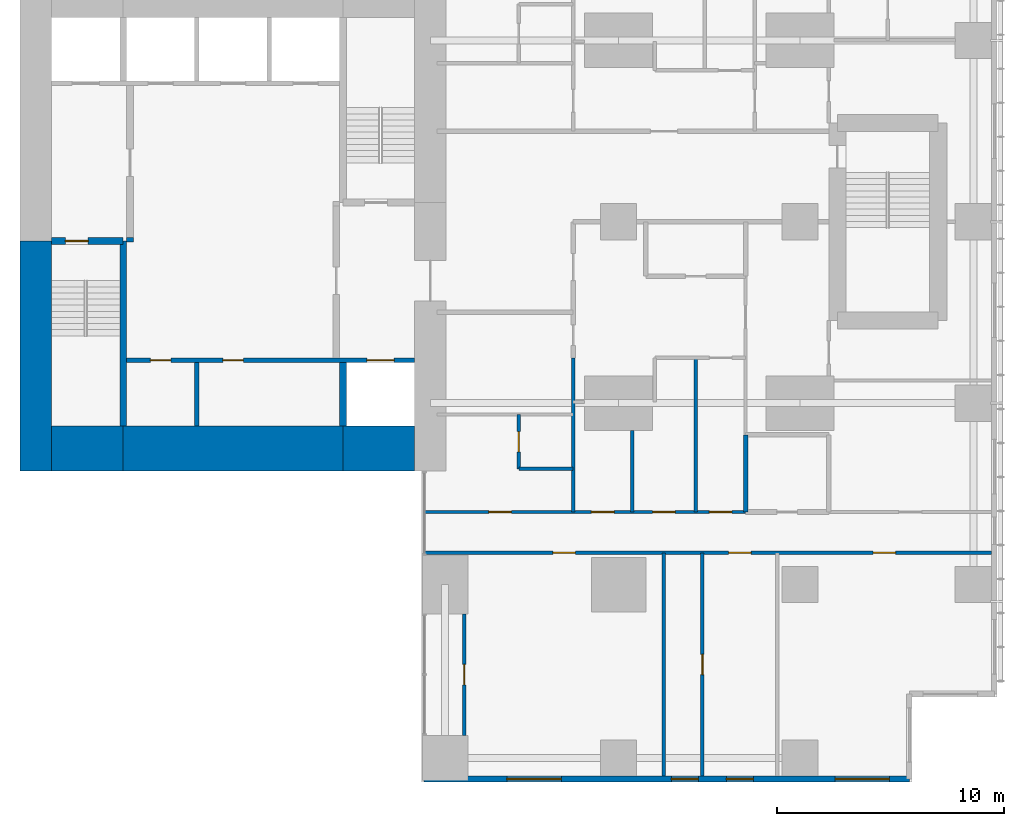
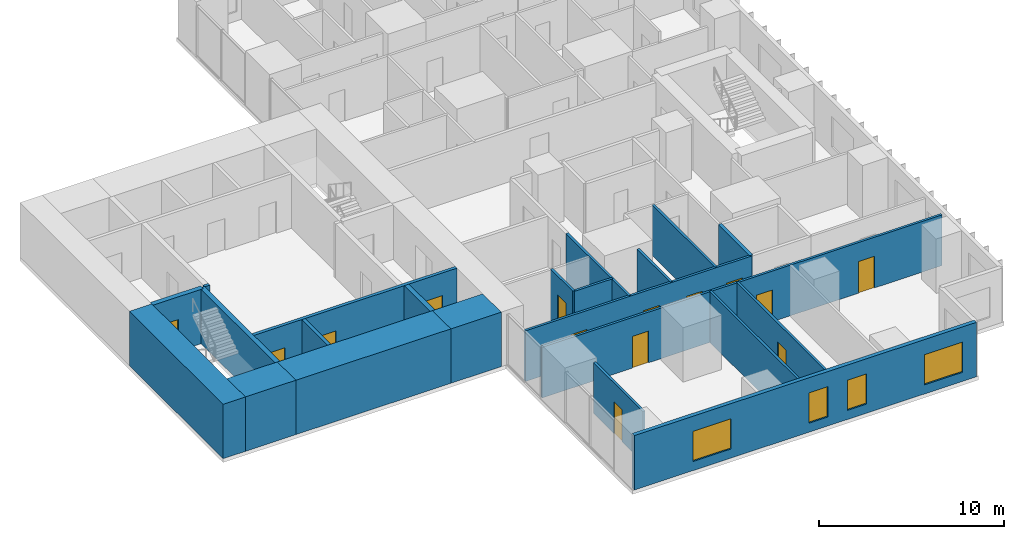
# One storey, part 7 of 12: 22 walls, 14 doors, 4 windows, 18 openings.
"""IFC4 building model written with IfcOpenShell, lengths in metres."""

import ifcopenshell
import ifcopenshell.guid

model = None  # the IFC model being written
_history = None  # IfcOwnerHistory: only IFC2X3 demands one
_inside = {}  # id of a spatial element -> (the spatial element, [elements in it])
_under = {}  # id of a project, library or spatial element -> (it, [spatial elements below it])
_declared = {}  # id of a project -> (the project, [libraries it declares])
_typed = {}  # id of a type object -> (the type object, [elements of that type])
_made_of = {}  # id of a material, layer set ... -> (it, [elements and type objects made of it])


def new_model(schema):
    """Start an empty IFC model of exactly this schema.

    Asked for "IFC4X3", IfcOpenShell would pick the latest addendum, in which some entities
    have other attributes; the version numbers below select the first issue.
    IFC2X3 requires an IfcOwnerHistory on every rooted entity: one is made here for all.
    """
    global model, _history
    if schema == "IFC4X3":
        model = ifcopenshell.file(schema_version=(4, 3, 0, 0))
    else:
        model = ifcopenshell.file(schema=schema)
    _inside.clear()
    _under.clear()
    _declared.clear()
    _typed.clear()
    _made_of.clear()
    _history = None
    if model.schema == "IFC2X3":
        org = make("IfcOrganization", Name="unknown")
        user = make(
            "IfcPersonAndOrganization",
            ThePerson=make("IfcPerson", FamilyName="unknown"),
            TheOrganization=org,
        )
        app = make(
            "IfcApplication",
            ApplicationDeveloper=org,
            Version="unknown",
            ApplicationFullName="unknown",
            ApplicationIdentifier="unknown",
        )
        _history = make(
            "IfcOwnerHistory",
            OwningUser=user,
            OwningApplication=app,
            ChangeAction="ADDED",
            CreationDate=0,
        )
    return model


def make(cls, **values):
    """One entity of the class cls with the attributes given. An attribute that is None is left unset."""
    return model.create_entity(
        cls, **{name: value for name, value in values.items() if value is not None}
    )


def rooted(cls, **values):
    """An entity with a GlobalId (a new one), such as an element, a storey or a relation."""
    return make(cls, GlobalId=ifcopenshell.guid.new(), OwnerHistory=_history, **values)


def si_unit(unit_type, name, prefix=None):
    """IfcSIUnit, for example si_unit("LENGTHUNIT", "METRE", prefix="MILLI")."""
    return make("IfcSIUnit", UnitType=unit_type, Prefix=prefix, Name=name)


def assignment(units):
    """IfcUnitAssignment: the units of a project."""
    return None if units is None else make("IfcUnitAssignment", Units=units)


def point(xyz):
    """IfcCartesianPoint."""
    return None if xyz is None else make("IfcCartesianPoint", Coordinates=xyz)


def direction(xyz):
    """IfcDirection."""
    return None if xyz is None else make("IfcDirection", DirectionRatios=xyz)


def frame(location, z_axis=None, x_axis=None):
    """IfcAxis2Placement3D, a coordinate frame: its origin and axes. An axis left out is left unset."""
    return make(
        "IfcAxis2Placement3D",
        Location=point(location),
        Axis=direction(z_axis),
        RefDirection=direction(x_axis),
    )


def frame_2d(location, x_axis=None):
    """IfcAxis2Placement2D, a coordinate frame in the plane: its origin and x axis."""
    return make(
        "IfcAxis2Placement2D", Location=point(location), RefDirection=direction(x_axis)
    )


def origin():
    """The frame at (0, 0, 0) with its axes left unset."""
    return frame((0.0, 0.0, 0.0))


def place(relative_to, where):
    """IfcLocalPlacement: puts the frame where relative to a parent placement (None: the world)."""
    return make(
        "IfcLocalPlacement", PlacementRelTo=relative_to, RelativePlacement=where
    )


def context(
    kind, dimensions, precision=None, world=None, true_north=None, identifier=None
):
    """IfcGeometricRepresentationContext, for example the 3D "Model" context."""
    return make(
        "IfcGeometricRepresentationContext",
        ContextIdentifier=identifier,
        ContextType=kind,
        CoordinateSpaceDimension=dimensions,
        Precision=precision,
        WorldCoordinateSystem=world,
        TrueNorth=true_north,
    )


def subcontext(parent, identifier, kind, view, scale=None):
    """IfcGeometricRepresentationSubContext, for example "Body" below "Model"."""
    return make(
        "IfcGeometricRepresentationSubContext",
        ContextIdentifier=identifier,
        ContextType=kind,
        ParentContext=parent,
        TargetScale=scale,
        TargetView=view,
    )


def project(units=None, contexts=None):
    """IfcProject with its units and contexts."""
    return rooted(
        "IfcProject",
        Name="project",
        RepresentationContexts=contexts,
        UnitsInContext=assignment(units),
    )


def spatial(cls, under=None, at=None, **own):
    """A site, building, storey or space (cls), placed at a placement, below another one or the project."""
    s = rooted(cls, ObjectPlacement=at, **own)
    if under is not None:
        _under.setdefault(under.id(), (under, []))[1].append(s)
    return s


def profile(cls, at=None, kind="AREA", **sizes):
    """A parametric profile (cls). Its sizes go by their IFC names, for example OverallWidth=200.0."""
    return make(cls, ProfileType=kind, Position=at, **sizes)


def rectangle(**sizes):
    """IfcRectangleProfileDef."""
    return profile("IfcRectangleProfileDef", **sizes)


def extrude(swept, where, along, depth):
    """IfcExtrudedAreaSolid: the profile swept, set in the frame where, extruded along a direction by depth."""
    return make(
        "IfcExtrudedAreaSolid",
        SweptArea=swept,
        Position=where,
        ExtrudedDirection=direction(along),
        Depth=depth,
    )


def shape(context_of_items, identifier, shape_type, items):
    """IfcShapeRepresentation: the items that make up one representation, for example the "Body"."""
    return make(
        "IfcShapeRepresentation",
        ContextOfItems=context_of_items,
        RepresentationIdentifier=identifier,
        RepresentationType=shape_type,
        Items=items,
    )


def material(Name=None, Category=None):
    """IfcMaterial."""
    return make("IfcMaterial", Name=Name, Category=Category)


def layer(
    of_material, thickness, ventilated=None, Name=None, Category=None, Priority=None
):
    """IfcMaterialLayer: one layer of a wall or slab, of a material (None: an air gap)."""
    return make(
        "IfcMaterialLayer",
        Material=of_material,
        LayerThickness=thickness,
        IsVentilated=ventilated,
        Name=Name,
        Category=Category,
        Priority=Priority,
    )


def layer_set(layers, Name=None):
    """IfcMaterialLayerSet."""
    return make("IfcMaterialLayerSet", MaterialLayers=layers, LayerSetName=Name)


def made_of(thing, what):
    """Note that an element or type object is made of a material, layer set ...; save() writes the relation."""
    if what is not None:
        _made_of.setdefault(what.id(), (what, []))[1].append(thing)
    return thing


def type_object(cls, material=None, **own):
    """A type object (cls), such as IfcWallType, which elements share."""
    return made_of(rooted(cls, **own), material)


def element(
    cls,
    number,
    at=None,
    inside=None,
    cuts=None,
    type_object=None,
    material=None,
    context=None,
    identifier="Body",
    shape_type=None,
    held_by="IfcProductDefinitionShape",
    body=None,
    shapes=None,
    **own,
):
    """One element of the class cls, such as IfcWall. Its Tag is "e" and its number.

    at: its placement. inside: the storey or other place that contains it. cuts: it is an
    opening in that element (IfcRelVoidsElement). A single representation is given by context,
    identifier, shape_type and body (its items); several are given by shapes. held_by: the class
    of the entity that holds the representations. save() writes the other relations.
    """
    e = rooted(cls, Tag="e%d" % number, ObjectPlacement=at, **own)
    if body is not None:
        shapes = [shape(context, identifier, shape_type, body)]
    if shapes is not None:
        e.Representation = make(held_by, Representations=shapes)
    if inside is not None:
        _inside.setdefault(inside.id(), (inside, []))[1].append(e)
    if cuts is not None:
        rooted(
            "IfcRelVoidsElement", RelatingBuildingElement=cuts, RelatedOpeningElement=e
        )
    if type_object is not None:
        _typed.setdefault(type_object.id(), (type_object, []))[1].append(e)
    return made_of(e, material)


def fill(opening, filler):
    """IfcRelFillsElement: the door or window that sits in an opening."""
    return rooted(
        "IfcRelFillsElement",
        RelatingOpeningElement=opening,
        RelatedBuildingElement=filler,
    )


def aggregate(whole, parts):
    """IfcRelAggregates: a whole, such as a stair, and the parts it consists of."""
    return rooted("IfcRelAggregates", RelatingObject=whole, RelatedObjects=parts)


def save(model, path):
    """Write the relations noted so far, then the file.

    IfcRelAggregates (storeys below a building ...), IfcRelContainedInSpatialStructure (elements
    in a storey), IfcRelDefinesByType, IfcRelAssociatesMaterial and IfcRelDeclares: one each for
    every whole, place, type object, material and project.
    """
    for whole, parts in _under.values():
        aggregate(whole, parts)
    for where, things in _inside.values():
        rooted(
            "IfcRelContainedInSpatialStructure",
            RelatedElements=things,
            RelatingStructure=where,
        )
    for kind, things in _typed.values():
        rooted("IfcRelDefinesByType", RelatedObjects=things, RelatingType=kind)
    for what, things in _made_of.values():
        rooted("IfcRelAssociatesMaterial", RelatedObjects=things, RelatingMaterial=what)
    for by, libraries in _declared.values():
        rooted("IfcRelDeclares", RelatingContext=by, RelatedDefinitions=libraries)
    model.write(path)


model = new_model("IFC4")

# Units and contexts
model_context = context("Model", 3, precision=1e-05, world=origin(), true_north=direction((0.0, 1.0)))
body_context = subcontext(model_context, "Body", "Model", "MODEL_VIEW")
ifc_project = project(units=[si_unit("LENGTHUNIT", "METRE"), si_unit("AREAUNIT", "SQUARE_METRE"), si_unit("VOLUMEUNIT", "CUBIC_METRE"), si_unit("PLANEANGLEUNIT", "RADIAN"), si_unit("MASSUNIT", "GRAM", prefix="KILO")], contexts=[model_context])

# Site, building, storey
site_placement = place(None, origin())
site = spatial("IfcSite", under=ifc_project, at=site_placement, CompositionType="ELEMENT")
building_placement = place(site_placement, origin())
building = spatial("IfcBuilding", under=site, at=building_placement, Name="Cleftline Residences", CompositionType="ELEMENT")
storey_placement = place(building_placement, frame((0.0, 0.0, 259.199951171875)))
storey = spatial("IfcBuildingStorey", under=building, at=storey_placement, Name="L68", CompositionType="ELEMENT", Elevation=259.199951171875)

# Walls
ifc_material_1 = material(Name="Concrete B70", Category="concrete")
ifc_layer_1 = layer(ifc_material_1, 1.39990234375)
ifc_layer_set_1 = layer_set([ifc_layer_1], Name="CORE WALL 1400")
wall_type_1 = type_object("IfcWallType", Name="CORE WALL 1400", PredefinedType="SHEAR", material=ifc_layer_set_1)
wall_1_placement = place(storey_placement, frame((24.300048828125, 13.0, 0.0), z_axis=(0.0, 0.0, 1.0), x_axis=(0.0, 1.0, 0.0)))
element("IfcWall", 1, at=wall_1_placement, inside=storey, type_object=wall_type_1, Name="Core wall W0", PredefinedType="SHEAR", context=body_context, shape_type="SweptSolid", body=[
    extrude(rectangle(XDim=10.14990234375, YDim=1.39990234375, at=frame_2d((5.074951171875, 0.0))), origin(), (0.0, 0.0, 1.0), 3.60009765625),
])
ifc_material_2 = material(Name="Concrete B70", Category="concrete")
ifc_layer_2 = layer(ifc_material_2, 2.0)
ifc_layer_set_2 = layer_set([ifc_layer_2], Name="CORE WALL 2000")
wall_type_2 = type_object("IfcWallType", Name="CORE WALL 2000", PredefinedType="SHEAR", material=ifc_layer_set_2)
wall_2_placement = place(storey_placement, frame((25.0, 14.0, 0.0), z_axis=(0.0, 0.0, 1.0), x_axis=(1.0, 0.0, 0.0)))
element("IfcWall", 2, at=wall_2_placement, inside=storey, type_object=wall_type_2, Name="Core wall S1", PredefinedType="SHEAR", context=body_context, shape_type="SweptSolid", body=[
    extrude(rectangle(XDim=3.14990234375, YDim=2.0, at=frame_2d((1.574951171875, 0.0))), origin(), (0.0, 0.0, 1.0), 3.60009765625),
])
wall_3_placement = place(storey_placement, frame((28.14990234375, 14.0, 0.0), z_axis=(0.0, 0.0, 1.0), x_axis=(1.0, 0.0, 0.0)))
element("IfcWall", 3, at=wall_3_placement, inside=storey, type_object=wall_type_2, Name="Core wall S2", PredefinedType="SHEAR", context=body_context, shape_type="SweptSolid", body=[
    extrude(rectangle(XDim=9.7001953125, YDim=2.0, at=frame_2d((4.85009765625, 0.0))), origin(), (0.0, 0.0, 1.0), 3.60009765625),
])
wall_4_placement = place(storey_placement, frame((37.85009765625, 14.0, 0.0), z_axis=(0.0, 0.0, 1.0), x_axis=(1.0, 0.0, 0.0)))
element("IfcWall", 4, at=wall_4_placement, inside=storey, type_object=wall_type_2, Name="Core wall S3", PredefinedType="SHEAR", context=body_context, shape_type="SweptSolid", body=[
    extrude(rectangle(XDim=3.14990234375, YDim=2.0, at=frame_2d((1.574951171875, 0.0))), origin(), (0.0, 0.0, 1.0), 3.60009765625),
])
ifc_material_3 = material(Name="Concrete B70", Category="concrete")
ifc_layer_3 = layer(ifc_material_3, 0.300048828125)
ifc_layer_set_3 = layer_set([ifc_layer_3], Name="CORE WALL 300")
wall_type_3 = type_object("IfcWallType", Name="CORE WALL 300", PredefinedType="SHEAR", material=ifc_layer_set_3)
wall_5_placement = place(storey_placement, frame((28.14990234375, 15.0, 0.0), z_axis=(0.0, 0.0, 1.0), x_axis=(0.0, 1.0, 0.0)))
element("IfcWall", 5, at=wall_5_placement, inside=storey, type_object=wall_type_3, Name="Core wall SA-E", PredefinedType="SHEAR", context=body_context, shape_type="SweptSolid", body=[
    extrude(rectangle(XDim=8.14990234375, YDim=0.300048828125, at=frame_2d((4.074951171875, 0.0))), origin(), (0.0, 0.0, 1.0), 3.60009765625),
])

# Wall, opening, door
wall_6_placement = place(storey_placement, frame((25.0, 23.14990234375, 0.0), z_axis=(0.0, 0.0, 1.0), x_axis=(1.0, 0.0, 0.0)))
wall_6 = element("IfcWall", 6, at=wall_6_placement, inside=storey, type_object=wall_type_3, Name="Core wall SA-N", PredefinedType="SHEAR", context=body_context, shape_type="SweptSolid", body=[
    extrude(rectangle(XDim=3.14990234375, YDim=0.300048828125, at=frame_2d((1.574951171875, 0.0))), origin(), (0.0, 0.0, 1.0), 3.60009765625),
])
opening_1_placement = place(wall_6_placement, frame((0.60009765625, 0.0, 0.0)))
opening_1 = element("IfcOpeningElement", 7, at=opening_1_placement, cuts=wall_6, Name="Opening D5", PredefinedType="OPENING", context=body_context, shape_type="SweptSolid", body=[
    extrude(rectangle(XDim=1.0, YDim=2.10009765625, at=frame_2d((0.5, 1.050048828125))), frame((0.0, 0.159912109375, 0.0), z_axis=(0.0, -1.0, 0.0), x_axis=(1.0, 0.0, 0.0)), (0.0, 0.0, 1.0), 0.320068359375),
])
ifc_material_4 = material(Name="Steel", Category="steel")
door_type_1 = type_object("IfcDoorType", Name="STAIR DOOR 1000X2100", OperationType="SINGLE_SWING_LEFT", PredefinedType="DOOR", material=ifc_material_4)
door_1_placement = place(opening_1_placement, origin())
door_1 = element("IfcDoor", 8, at=door_1_placement, inside=storey, type_object=door_type_1, Name="Stair A door", OperationType="SINGLE_SWING_RIGHT", OverallHeight=2.10009765625, OverallWidth=1.0, PredefinedType="DOOR", context=body_context, shape_type="SweptSolid", body=[
    extrude(rectangle(XDim=1.0, YDim=2.10009765625, at=frame_2d((0.5, 1.050048828125))), frame((0.0, 0.02490234375, 0.0), z_axis=(0.0, -1.0, 0.0), x_axis=(1.0, 0.0, 0.0)), (0.0, 0.0, 1.0), 0.050048828125),
])
fill(opening_1, door_1)

# Wall
wall_7_placement = place(storey_placement, frame((37.85009765625, 15.0, 0.0), z_axis=(0.0, 0.0, 1.0), x_axis=(0.0, 1.0, 0.0)))
element("IfcWall", 9, at=wall_7_placement, inside=storey, type_object=wall_type_3, Name="Lift shaft wall", PredefinedType="SHEAR", context=body_context, shape_type="SweptSolid", body=[
    extrude(rectangle(XDim=2.800048828125, YDim=0.300048828125, at=frame_2d((1.39990234375, 0.0))), origin(), (0.0, 0.0, 1.0), 3.60009765625),
])

# Wall, openings, windows
ifc_material_5 = material(Name="Rendered reinforced concrete blockwork", Category="masonry")
ifc_layer_4 = layer(ifc_material_5, 0.25)
ifc_layer_set_4 = layer_set([ifc_layer_4], Name="EXTERNAL WALL 250")
wall_type_4 = type_object("IfcWallType", Name="EXTERNAL WALL 250", PredefinedType="SOLIDWALL", material=ifc_layer_set_4)
wall_8_placement = place(storey_placement, frame((41.425048828125, -0.574951171875, 0.0), z_axis=(0.0, 0.0, 1.0), x_axis=(1.0, 0.0, 0.0)))
wall_8 = element("IfcWall", 10, at=wall_8_placement, inside=storey, type_object=wall_type_4, Name="External wall", PredefinedType="SOLIDWALL", context=body_context, shape_type="SweptSolid", body=[
    extrude(rectangle(XDim=21.39990234375, YDim=0.25, at=frame_2d((10.699951171875, 0.0))), origin(), (0.0, 0.0, 1.0), 3.60009765625),
])
opening_2_placement = place(wall_8_placement, frame((3.64990234375, 0.0, 0.60009765625)))
opening_2 = element("IfcOpeningElement", 11, at=opening_2_placement, cuts=wall_8, Name="Opening W6", PredefinedType="OPENING", context=body_context, shape_type="SweptSolid", body=[
    extrude(rectangle(XDim=2.39990234375, YDim=2.0, at=frame_2d((1.199951171875, 1.0))), frame((0.0, 0.135009765625, 0.0), z_axis=(0.0, -1.0, 0.0), x_axis=(1.0, 0.0, 0.0)), (0.0, 0.0, 1.0), 0.27001953125),
])
opening_3_placement = place(wall_8_placement, frame((10.89990234375, 0.0, 0.60009765625)))
opening_3 = element("IfcOpeningElement", 12, at=opening_3_placement, cuts=wall_8, Name="Opening W8", PredefinedType="OPENING", context=body_context, shape_type="SweptSolid", body=[
    extrude(rectangle(XDim=1.199951171875, YDim=2.0, at=frame_2d((0.60009765625, 1.0))), frame((0.0, 0.135009765625, 0.0), z_axis=(0.0, -1.0, 0.0), x_axis=(1.0, 0.0, 0.0)), (0.0, 0.0, 1.0), 0.27001953125),
])
opening_4_placement = place(wall_8_placement, frame((13.324951171875, 0.0, 0.60009765625)))
opening_4 = element("IfcOpeningElement", 13, at=opening_4_placement, cuts=wall_8, Name="Opening W8", PredefinedType="OPENING", context=body_context, shape_type="SweptSolid", body=[
    extrude(rectangle(XDim=1.199951171875, YDim=2.0, at=frame_2d((0.60009765625, 1.0))), frame((0.0, 0.135009765625, 0.0), z_axis=(0.0, -1.0, 0.0), x_axis=(1.0, 0.0, 0.0)), (0.0, 0.0, 1.0), 0.27001953125),
])
opening_5_placement = place(wall_8_placement, frame((18.125, 0.0, 0.60009765625)))
opening_5 = element("IfcOpeningElement", 14, at=opening_5_placement, cuts=wall_8, Name="Opening W6", PredefinedType="OPENING", context=body_context, shape_type="SweptSolid", body=[
    extrude(rectangle(XDim=2.39990234375, YDim=2.0, at=frame_2d((1.199951171875, 1.0))), frame((0.0, 0.135009765625, 0.0), z_axis=(0.0, -1.0, 0.0), x_axis=(1.0, 0.0, 0.0)), (0.0, 0.0, 1.0), 0.27001953125),
])
ifc_material_6 = material(Name="Aluminium frame, clear double glazing", Category="aluminium")
window_type_1 = type_object("IfcWindowType", Name="WINDOW 1200X2000", PartitioningType="DOUBLE_PANEL_VERTICAL", PredefinedType="WINDOW", material=ifc_material_6)
window_1_placement = place(opening_3_placement, origin())
window_1 = element("IfcWindow", 15, at=window_1_placement, inside=storey, type_object=window_type_1, Name="Window", OverallHeight=2.0, OverallWidth=1.199951171875, PartitioningType="SINGLE_PANEL", PredefinedType="WINDOW", context=body_context, shape_type="SweptSolid", body=[
    extrude(rectangle(XDim=1.199951171875, YDim=2.0, at=frame_2d((0.60009765625, 1.0))), frame((0.0, 0.030029296875, 0.0), z_axis=(0.0, -1.0, 0.0), x_axis=(1.0, 0.0, 0.0)), (0.0, 0.0, 1.0), 0.06005859375),
])
fill(opening_3, window_1)
window_2_placement = place(opening_4_placement, origin())
window_2 = element("IfcWindow", 16, at=window_2_placement, inside=storey, type_object=window_type_1, Name="Window", OverallHeight=2.0, OverallWidth=1.199951171875, PartitioningType="SINGLE_PANEL", PredefinedType="WINDOW", context=body_context, shape_type="SweptSolid", body=[
    extrude(rectangle(XDim=1.199951171875, YDim=2.0, at=frame_2d((0.60009765625, 1.0))), frame((0.0, 0.030029296875, 0.0), z_axis=(0.0, -1.0, 0.0), x_axis=(1.0, 0.0, 0.0)), (0.0, 0.0, 1.0), 0.06005859375),
])
fill(opening_4, window_2)
ifc_material_7 = material(Name="Aluminium frame, clear double glazing", Category="aluminium")
window_type_2 = type_object("IfcWindowType", Name="WINDOW 2400X2000", PartitioningType="DOUBLE_PANEL_VERTICAL", PredefinedType="WINDOW", material=ifc_material_7)
window_3_placement = place(opening_2_placement, origin())
window_3 = element("IfcWindow", 17, at=window_3_placement, inside=storey, type_object=window_type_2, Name="Window", OverallHeight=2.0, OverallWidth=2.39990234375, PartitioningType="SINGLE_PANEL", PredefinedType="WINDOW", context=body_context, shape_type="SweptSolid", body=[
    extrude(rectangle(XDim=2.39990234375, YDim=2.0, at=frame_2d((1.199951171875, 1.0))), frame((0.0, 0.030029296875, 0.0), z_axis=(0.0, -1.0, 0.0), x_axis=(1.0, 0.0, 0.0)), (0.0, 0.0, 1.0), 0.06005859375),
])
fill(opening_2, window_3)
window_4_placement = place(opening_5_placement, origin())
window_4 = element("IfcWindow", 18, at=window_4_placement, inside=storey, type_object=window_type_2, Name="Window", OverallHeight=2.0, OverallWidth=2.39990234375, PartitioningType="SINGLE_PANEL", PredefinedType="WINDOW", context=body_context, shape_type="SweptSolid", body=[
    extrude(rectangle(XDim=2.39990234375, YDim=2.0, at=frame_2d((1.199951171875, 1.0))), frame((0.0, 0.030029296875, 0.0), z_axis=(0.0, -1.0, 0.0), x_axis=(1.0, 0.0, 0.0)), (0.0, 0.0, 1.0), 0.06005859375),
])
fill(opening_5, window_4)

# Walls
ifc_material_8 = material(Name="Concrete blockwork, fire rated", Category="masonry")
ifc_layer_5 = layer(ifc_material_8, 0.199951171875)
ifc_layer_set_5 = layer_set([ifc_layer_5], Name="FIRE WALL 200")
wall_type_5 = type_object("IfcWallType", Name="FIRE WALL 200", PredefinedType="PARTITIONING", material=ifc_layer_set_5)
wall_9_placement = place(storey_placement, frame((55.60009765625, 11.199951171875, 0.0), z_axis=(0.0, 0.0, 1.0), x_axis=(0.0, 1.0, 0.0)))
element("IfcWall", 19, at=wall_9_placement, inside=storey, type_object=wall_type_5, Name="Fire separating wall", PredefinedType="PARTITIONING", context=body_context, shape_type="SweptSolid", body=[
    extrude(rectangle(XDim=3.400146484375, YDim=0.199951171875, at=frame_2d((1.7001953125, 0.0))), origin(), (0.0, 0.0, 1.0), 3.35009765625),
])
wall_10_placement = place(storey_placement, frame((28.300048828125, 23.199951171875, 0.0), z_axis=(0.0, 0.0, 1.0), x_axis=(1.0, 0.0, 0.0)))
element("IfcWall", 20, at=wall_10_placement, inside=storey, type_object=wall_type_5, Name="Fire separating wall", PredefinedType="PARTITIONING", context=body_context, shape_type="SweptSolid", body=[
    extrude(rectangle(XDim=0.300048828125, YDim=0.199951171875, at=frame_2d((0.14990234375, 0.0))), origin(), (0.0, 0.0, 1.0), 3.60009765625),
])

# Wall, openings, doors
ifc_material_9 = material(Name="Gypsum board on steel studs", Category="steel")
ifc_layer_6 = layer(ifc_material_9, 0.14990234375)
ifc_layer_set_6 = layer_set([ifc_layer_6], Name="PARTITION 150")
wall_type_6 = type_object("IfcWallType", Name="PARTITION 150", PredefinedType="PARTITIONING", material=ifc_layer_set_6)
wall_11_placement = place(storey_placement, frame((41.43896484375, 9.39990234375, 0.0), z_axis=(0.0, 0.0, 1.0), x_axis=(1.0, 0.0, 0.0)))
wall_11 = element("IfcWall", 21, at=wall_11_placement, inside=storey, type_object=wall_type_6, Name="Partition", PredefinedType="PARTITIONING", context=body_context, shape_type="SweptSolid", body=[
    extrude(rectangle(XDim=25.010986328125, YDim=0.14990234375, at=frame_2d((12.50537109375, 0.0))), origin(), (0.0, 0.0, 1.0), 3.35009765625),
])
opening_6_placement = place(wall_11_placement, frame((19.785888671875, 0.0, 0.0)))
opening_6 = element("IfcOpeningElement", 22, at=opening_6_placement, cuts=wall_11, Name="Opening D2", PredefinedType="OPENING", context=body_context, shape_type="SweptSolid", body=[
    extrude(rectangle(XDim=1.0, YDim=2.10009765625, at=frame_2d((0.5, 1.050048828125))), frame((0.0, 0.0849609375, 0.0), z_axis=(0.0, -1.0, 0.0), x_axis=(1.0, 0.0, 0.0)), (0.0, 0.0, 1.0), 0.169921875),
])
opening_7_placement = place(wall_11_placement, frame((13.410888671875, 0.0, 0.0)))
opening_7 = element("IfcOpeningElement", 23, at=opening_7_placement, cuts=wall_11, Name="Opening D2", PredefinedType="OPENING", context=body_context, shape_type="SweptSolid", body=[
    extrude(rectangle(XDim=1.0, YDim=2.10009765625, at=frame_2d((0.5, 1.050048828125))), frame((0.0, 0.0849609375, 0.0), z_axis=(0.0, -1.0, 0.0), x_axis=(1.0, 0.0, 0.0)), (0.0, 0.0, 1.0), 0.169921875),
])
opening_8_placement = place(wall_11_placement, frame((5.660888671875, 0.0, 0.0)))
opening_8 = element("IfcOpeningElement", 24, at=opening_8_placement, cuts=wall_11, Name="Opening D2", PredefinedType="OPENING", context=body_context, shape_type="SweptSolid", body=[
    extrude(rectangle(XDim=1.0, YDim=2.10009765625, at=frame_2d((0.5, 1.050048828125))), frame((0.0, 0.0849609375, 0.0), z_axis=(0.0, -1.0, 0.0), x_axis=(1.0, 0.0, 0.0)), (0.0, 0.0, 1.0), 0.169921875),
])
ifc_material_10 = material(Name="Timber veneer on solid core", Category="wood")
door_type_2 = type_object("IfcDoorType", Name="DOOR 1000X2100", OperationType="SINGLE_SWING_LEFT", PredefinedType="DOOR", material=ifc_material_10)
door_2_placement = place(opening_6_placement, origin())
door_2 = element("IfcDoor", 25, at=door_2_placement, inside=storey, type_object=door_type_2, Name="Door to sea-view dining room", OperationType="SINGLE_SWING_LEFT", OverallHeight=2.10009765625, OverallWidth=1.0, PredefinedType="DOOR", context=body_context, shape_type="SweptSolid", body=[
    extrude(rectangle(XDim=1.0, YDim=2.10009765625, at=frame_2d((0.5, 1.050048828125))), frame((0.0, 0.02490234375, 0.0), z_axis=(0.0, -1.0, 0.0), x_axis=(1.0, 0.0, 0.0)), (0.0, 0.0, 1.0), 0.050048828125),
])
fill(opening_6, door_2)
door_3_placement = place(opening_7_placement, origin())
door_3 = element("IfcDoor", 26, at=door_3_placement, inside=storey, type_object=door_type_2, Name="Door to show kitchen", OperationType="SINGLE_SWING_LEFT", OverallHeight=2.10009765625, OverallWidth=1.0, PredefinedType="DOOR", context=body_context, shape_type="SweptSolid", body=[
    extrude(rectangle(XDim=1.0, YDim=2.10009765625, at=frame_2d((0.5, 1.050048828125))), frame((0.0, 0.02490234375, 0.0), z_axis=(0.0, -1.0, 0.0), x_axis=(1.0, 0.0, 0.0)), (0.0, 0.0, 1.0), 0.050048828125),
])
fill(opening_7, door_3)
door_4_placement = place(opening_8_placement, origin())
door_4 = element("IfcDoor", 27, at=door_4_placement, inside=storey, type_object=door_type_2, Name="Door to family room", OperationType="SINGLE_SWING_RIGHT", OverallHeight=2.10009765625, OverallWidth=1.0, PredefinedType="DOOR", context=body_context, shape_type="SweptSolid", body=[
    extrude(rectangle(XDim=1.0, YDim=2.10009765625, at=frame_2d((0.5, 1.050048828125))), frame((0.0, 0.02490234375, 0.0), z_axis=(0.0, -1.0, 0.0), x_axis=(1.0, 0.0, 0.0)), (0.0, 0.0, 1.0), 0.050048828125),
])
fill(opening_8, door_4)

wall_12_placement = place(storey_placement, frame((41.43896484375, 11.199951171875, 0.0), z_axis=(0.0, 0.0, 1.0), x_axis=(1.0, 0.0, 0.0)))
wall_12 = element("IfcWall", 28, at=wall_12_placement, inside=storey, type_object=wall_type_6, Name="Partition", PredefinedType="PARTITIONING", context=body_context, shape_type="SweptSolid", body=[
    extrude(rectangle(XDim=14.1611328125, YDim=0.14990234375, at=frame_2d((7.08056640625, 0.0))), origin(), (0.0, 0.0, 1.0), 3.35009765625),
])
opening_9_placement = place(wall_12_placement, frame((12.56103515625, 0.0, 0.0)))
opening_9 = element("IfcOpeningElement", 29, at=opening_9_placement, cuts=wall_12, Name="Opening D2F30", PredefinedType="OPENING", context=body_context, shape_type="SweptSolid", body=[
    extrude(rectangle(XDim=1.0, YDim=2.10009765625, at=frame_2d((0.5, 1.050048828125))), frame((0.0, 0.0849609375, 0.0), z_axis=(0.0, -1.0, 0.0), x_axis=(1.0, 0.0, 0.0)), (0.0, 0.0, 1.0), 0.169921875),
])
opening_10_placement = place(wall_12_placement, frame((10.06103515625, 0.0, 0.0)))
opening_10 = element("IfcOpeningElement", 30, at=opening_10_placement, cuts=wall_12, Name="Opening D2F30", PredefinedType="OPENING", context=body_context, shape_type="SweptSolid", body=[
    extrude(rectangle(XDim=1.0, YDim=2.10009765625, at=frame_2d((0.5, 1.050048828125))), frame((0.0, 0.0849609375, 0.0), z_axis=(0.0, -1.0, 0.0), x_axis=(1.0, 0.0, 0.0)), (0.0, 0.0, 1.0), 0.169921875),
])
opening_11_placement = place(wall_12_placement, frame((7.361083984375, 0.0, 0.0)))
opening_11 = element("IfcOpeningElement", 31, at=opening_11_placement, cuts=wall_12, Name="Opening D2F30", PredefinedType="OPENING", context=body_context, shape_type="SweptSolid", body=[
    extrude(rectangle(XDim=1.0, YDim=2.10009765625, at=frame_2d((0.5, 1.050048828125))), frame((0.0, 0.0849609375, 0.0), z_axis=(0.0, -1.0, 0.0), x_axis=(1.0, 0.0, 0.0)), (0.0, 0.0, 1.0), 0.169921875),
])
opening_12_placement = place(wall_12_placement, frame((2.8359375, 0.0, 0.0)))
opening_12 = element("IfcOpeningElement", 32, at=opening_12_placement, cuts=wall_12, Name="Opening D2F30", PredefinedType="OPENING", context=body_context, shape_type="SweptSolid", body=[
    extrude(rectangle(XDim=1.0, YDim=2.10009765625, at=frame_2d((0.5, 1.050048828125))), frame((0.0, 0.0849609375, 0.0), z_axis=(0.0, -1.0, 0.0), x_axis=(1.0, 0.0, 0.0)), (0.0, 0.0, 1.0), 0.169921875),
])
ifc_material_11 = material(Name="Timber veneer on solid core", Category="wood")
door_type_3 = type_object("IfcDoorType", Name="DOOR 1000X2100 EI 30", OperationType="SINGLE_SWING_LEFT", PredefinedType="DOOR", material=ifc_material_11)
door_5_placement = place(opening_9_placement, origin())
door_5 = element("IfcDoor", 33, at=door_5_placement, inside=storey, type_object=door_type_3, Name="Door to residence hall (gallery)", OperationType="SINGLE_SWING_LEFT", OverallHeight=2.10009765625, OverallWidth=1.0, PredefinedType="DOOR", context=body_context, shape_type="SweptSolid", body=[
    extrude(rectangle(XDim=1.0, YDim=2.10009765625, at=frame_2d((0.5, 1.050048828125))), frame((0.0, 0.02490234375, 0.0), z_axis=(0.0, -1.0, 0.0), x_axis=(1.0, 0.0, 0.0)), (0.0, 0.0, 1.0), 0.050048828125),
])
fill(opening_9, door_5)
door_6_placement = place(opening_10_placement, origin())
door_6 = element("IfcDoor", 34, at=door_6_placement, inside=storey, type_object=door_type_3, Name="Door to wet kitchen", OperationType="SINGLE_SWING_LEFT", OverallHeight=2.10009765625, OverallWidth=1.0, PredefinedType="DOOR", context=body_context, shape_type="SweptSolid", body=[
    extrude(rectangle(XDim=1.0, YDim=2.10009765625, at=frame_2d((0.5, 1.050048828125))), frame((0.0, 0.02490234375, 0.0), z_axis=(0.0, -1.0, 0.0), x_axis=(1.0, 0.0, 0.0)), (0.0, 0.0, 1.0), 0.050048828125),
])
fill(opening_10, door_6)
door_7_placement = place(opening_11_placement, origin())
door_7 = element("IfcDoor", 35, at=door_7_placement, inside=storey, type_object=door_type_3, Name="Door to library", OperationType="SINGLE_SWING_LEFT", OverallHeight=2.10009765625, OverallWidth=1.0, PredefinedType="DOOR", context=body_context, shape_type="SweptSolid", body=[
    extrude(rectangle(XDim=1.0, YDim=2.10009765625, at=frame_2d((0.5, 1.050048828125))), frame((0.0, 0.02490234375, 0.0), z_axis=(0.0, -1.0, 0.0), x_axis=(1.0, 0.0, 0.0)), (0.0, 0.0, 1.0), 0.050048828125),
])
fill(opening_11, door_7)
door_8_placement = place(opening_12_placement, origin())
door_8 = element("IfcDoor", 36, at=door_8_placement, inside=storey, type_object=door_type_3, Name="Door to staff bedroom", OperationType="SINGLE_SWING_RIGHT", OverallHeight=2.10009765625, OverallWidth=1.0, PredefinedType="DOOR", context=body_context, shape_type="SweptSolid", body=[
    extrude(rectangle(XDim=1.0, YDim=2.10009765625, at=frame_2d((0.5, 1.050048828125))), frame((0.0, 0.02490234375, 0.0), z_axis=(0.0, -1.0, 0.0), x_axis=(1.0, 0.0, 0.0)), (0.0, 0.0, 1.0), 0.050048828125),
])
fill(opening_12, door_8)

# Wall
wall_13_placement = place(storey_placement, frame((45.60009765625, 13.10009765625, 0.0), z_axis=(0.0, 0.0, 1.0), x_axis=(1.0, 0.0, 0.0)))
element("IfcWall", 37, at=wall_13_placement, inside=storey, type_object=wall_type_6, Name="Partition", PredefinedType="PARTITIONING", context=body_context, shape_type="SweptSolid", body=[
    extrude(rectangle(XDim=2.39990234375, YDim=0.14990234375, at=frame_2d((1.199951171875, 0.0))), origin(), (0.0, 0.0, 1.0), 3.35009765625),
])

# Wall, opening, door
wall_14_placement = place(storey_placement, frame((43.199951171875, 1.35009765625, 0.0), z_axis=(0.0, 0.0, 1.0), x_axis=(0.0, 1.0, 0.0)))
wall_14 = element("IfcWall", 38, at=wall_14_placement, inside=storey, type_object=wall_type_6, Name="Partition", PredefinedType="PARTITIONING", context=body_context, shape_type="SweptSolid", body=[
    extrude(rectangle(XDim=5.349853515625, YDim=0.14990234375, at=frame_2d((2.6748046875, 0.0))), origin(), (0.0, 0.0, 1.0), 3.35009765625),
])
opening_13_placement = place(wall_14_placement, frame((2.22509765625, 0.0, 0.0)))
opening_13 = element("IfcOpeningElement", 39, at=opening_13_placement, cuts=wall_14, Name="Opening D1", PredefinedType="OPENING", context=body_context, shape_type="SweptSolid", body=[
    extrude(rectangle(XDim=0.89990234375, YDim=2.10009765625, at=frame_2d((0.449951171875, 1.050048828125))), frame((0.0, 0.0849609375, 0.0), z_axis=(0.0, -1.0, 0.0), x_axis=(1.0, 0.0, 0.0)), (0.0, 0.0, 1.0), 0.169921875),
])
ifc_material_12 = material(Name="Timber veneer on solid core", Category="wood")
door_type_4 = type_object("IfcDoorType", Name="DOOR 900X2100", OperationType="SINGLE_SWING_LEFT", PredefinedType="DOOR", material=ifc_material_12)
door_9_placement = place(opening_13_placement, origin())
door_9 = element("IfcDoor", 40, at=door_9_placement, inside=storey, type_object=door_type_4, Name="Door to library", OperationType="SINGLE_SWING_LEFT", OverallHeight=2.10009765625, OverallWidth=0.89990234375, PredefinedType="DOOR", context=body_context, shape_type="SweptSolid", body=[
    extrude(rectangle(XDim=0.89990234375, YDim=2.10009765625, at=frame_2d((0.449951171875, 1.050048828125))), frame((0.0, 0.02490234375, 0.0), z_axis=(0.0, -1.0, 0.0), x_axis=(1.0, 0.0, 0.0)), (0.0, 0.0, 1.0), 0.050048828125),
])
fill(opening_13, door_9)

wall_15_placement = place(storey_placement, frame((45.60009765625, 13.10009765625, 0.0), z_axis=(0.0, 0.0, 1.0), x_axis=(0.0, 1.0, 0.0)))
wall_15 = element("IfcWall", 41, at=wall_15_placement, inside=storey, type_object=wall_type_6, Name="Partition", PredefinedType="PARTITIONING", context=body_context, shape_type="SweptSolid", body=[
    extrude(rectangle(XDim=2.39990234375, YDim=0.14990234375, at=frame_2d((1.199951171875, 0.0))), origin(), (0.0, 0.0, 1.0), 3.35009765625),
])
opening_14_placement = place(wall_15_placement, frame((0.75, 0.0, 0.0)))
opening_14 = element("IfcOpeningElement", 42, at=opening_14_placement, cuts=wall_15, Name="Opening D1", PredefinedType="OPENING", context=body_context, shape_type="SweptSolid", body=[
    extrude(rectangle(XDim=0.89990234375, YDim=2.10009765625, at=frame_2d((0.449951171875, 1.050048828125))), frame((0.0, 0.0849609375, 0.0), z_axis=(0.0, -1.0, 0.0), x_axis=(1.0, 0.0, 0.0)), (0.0, 0.0, 1.0), 0.169921875),
])
door_10_placement = place(opening_14_placement, origin())
door_10 = element("IfcDoor", 43, at=door_10_placement, inside=storey, type_object=door_type_4, Name="Door to staff shower room", OperationType="SINGLE_SWING_LEFT", OverallHeight=2.10009765625, OverallWidth=0.89990234375, PredefinedType="DOOR", context=body_context, shape_type="SweptSolid", body=[
    extrude(rectangle(XDim=0.89990234375, YDim=2.10009765625, at=frame_2d((0.449951171875, 1.050048828125))), frame((0.0, 0.02490234375, 0.0), z_axis=(0.0, -1.0, 0.0), x_axis=(1.0, 0.0, 0.0)), (0.0, 0.0, 1.0), 0.050048828125),
])
fill(opening_14, door_10)

# Walls
wall_16_placement = place(storey_placement, frame((48.0, 11.199951171875, 0.0), z_axis=(0.0, 0.0, 1.0), x_axis=(0.0, 1.0, 0.0)))
element("IfcWall", 44, at=wall_16_placement, inside=storey, type_object=wall_type_6, Name="Partition", PredefinedType="PARTITIONING", context=body_context, shape_type="SweptSolid", body=[
    extrude(rectangle(XDim=6.800048828125, YDim=0.14990234375, at=frame_2d((3.39990234375, 0.0))), origin(), (0.0, 0.0, 1.0), 3.35009765625),
])
wall_17_placement = place(storey_placement, frame((50.60009765625, 11.199951171875, 0.0), z_axis=(0.0, 0.0, 1.0), x_axis=(0.0, 1.0, 0.0)))
element("IfcWall", 45, at=wall_17_placement, inside=storey, type_object=wall_type_6, Name="Partition", PredefinedType="PARTITIONING", context=body_context, shape_type="SweptSolid", body=[
    extrude(rectangle(XDim=3.60009765625, YDim=0.14990234375, at=frame_2d((1.800048828125, 0.0))), origin(), (0.0, 0.0, 1.0), 3.35009765625),
])
wall_18_placement = place(storey_placement, frame((52.0, -0.449951171875, 0.0), z_axis=(0.0, 0.0, 1.0), x_axis=(0.0, 1.0, 0.0)))
element("IfcWall", 46, at=wall_18_placement, inside=storey, type_object=wall_type_6, Name="Partition", PredefinedType="PARTITIONING", context=body_context, shape_type="SweptSolid", body=[
    extrude(rectangle(XDim=9.849853515625, YDim=0.14990234375, at=frame_2d((4.9248046875, 0.0))), origin(), (0.0, 0.0, 1.0), 3.35009765625),
])
wall_19_placement = place(storey_placement, frame((53.39990234375, 11.199951171875, 0.0), z_axis=(0.0, 0.0, 1.0), x_axis=(0.0, 1.0, 0.0)))
element("IfcWall", 47, at=wall_19_placement, inside=storey, type_object=wall_type_6, Name="Partition", PredefinedType="PARTITIONING", context=body_context, shape_type="SweptSolid", body=[
    extrude(rectangle(XDim=6.800048828125, YDim=0.14990234375, at=frame_2d((3.39990234375, 0.0))), origin(), (0.0, 0.0, 1.0), 3.35009765625),
])

# Wall, opening, door
wall_20_placement = place(storey_placement, frame((53.699951171875, -0.449951171875, 0.0), z_axis=(0.0, 0.0, 1.0), x_axis=(0.0, 1.0, 0.0)))
wall_20 = element("IfcWall", 48, at=wall_20_placement, inside=storey, type_object=wall_type_6, Name="Partition", PredefinedType="PARTITIONING", context=body_context, shape_type="SweptSolid", body=[
    extrude(rectangle(XDim=9.849853515625, YDim=0.14990234375, at=frame_2d((4.9248046875, 0.0))), origin(), (0.0, 0.0, 1.0), 3.35009765625),
])
opening_15_placement = place(wall_20_placement, frame((4.47509765625, 0.0, 0.0)))
opening_15 = element("IfcOpeningElement", 49, at=opening_15_placement, cuts=wall_20, Name="Opening D1", PredefinedType="OPENING", context=body_context, shape_type="SweptSolid", body=[
    extrude(rectangle(XDim=0.89990234375, YDim=2.10009765625, at=frame_2d((0.449951171875, 1.050048828125))), frame((0.0, 0.0849609375, 0.0), z_axis=(0.0, -1.0, 0.0), x_axis=(1.0, 0.0, 0.0)), (0.0, 0.0, 1.0), 0.169921875),
])
door_11_placement = place(opening_15_placement, origin())
door_11 = element("IfcDoor", 50, at=door_11_placement, inside=storey, type_object=door_type_4, Name="Door to larder", OperationType="SINGLE_SWING_LEFT", OverallHeight=2.10009765625, OverallWidth=0.89990234375, PredefinedType="DOOR", context=body_context, shape_type="SweptSolid", body=[
    extrude(rectangle(XDim=0.89990234375, YDim=2.10009765625, at=frame_2d((0.449951171875, 1.050048828125))), frame((0.0, 0.02490234375, 0.0), z_axis=(0.0, -1.0, 0.0), x_axis=(1.0, 0.0, 0.0)), (0.0, 0.0, 1.0), 0.050048828125),
])
fill(opening_15, door_11)

# Wall, openings, doors
ifc_material_13 = material(Name="Concrete blockwork, fire rated", Category="masonry")
ifc_layer_7 = layer(ifc_material_13, 0.199951171875)
ifc_layer_set_7 = layer_set([ifc_layer_7], Name="SHAFT WALL 200")
wall_type_7 = type_object("IfcWallType", Name="SHAFT WALL 200", PredefinedType="PARTITIONING", material=ifc_layer_set_7)
wall_21_placement = place(storey_placement, frame((28.300048828125, 17.89990234375, 0.0), z_axis=(0.0, 0.0, 1.0), x_axis=(1.0, 0.0, 0.0)))
wall_21 = element("IfcWall", 51, at=wall_21_placement, inside=storey, type_object=wall_type_7, Name="Core room wall", PredefinedType="PARTITIONING", context=body_context, shape_type="SweptSolid", body=[
    extrude(rectangle(XDim=12.699951171875, YDim=0.199951171875, at=frame_2d((6.35009765625, 0.0))), origin(), (0.0, 0.0, 1.0), 3.60009765625),
])
opening_16_placement = place(wall_21_placement, frame((1.050048828125, 0.0, 0.0)))
opening_16 = element("IfcOpeningElement", 52, at=opening_16_placement, cuts=wall_21, Name="Opening D1F30", PredefinedType="OPENING", context=body_context, shape_type="SweptSolid", body=[
    extrude(rectangle(XDim=0.89990234375, YDim=2.10009765625, at=frame_2d((0.449951171875, 1.050048828125))), frame((0.0, 0.10986328125, 0.0), z_axis=(0.0, -1.0, 0.0), x_axis=(1.0, 0.0, 0.0)), (0.0, 0.0, 1.0), 0.219970703125),
])
opening_17_placement = place(wall_21_placement, frame((4.25, 0.0, 0.0)))
opening_17 = element("IfcOpeningElement", 53, at=opening_17_placement, cuts=wall_21, Name="Opening D1F30", PredefinedType="OPENING", context=body_context, shape_type="SweptSolid", body=[
    extrude(rectangle(XDim=0.89990234375, YDim=2.10009765625, at=frame_2d((0.449951171875, 1.050048828125))), frame((0.0, 0.10986328125, 0.0), z_axis=(0.0, -1.0, 0.0), x_axis=(1.0, 0.0, 0.0)), (0.0, 0.0, 1.0), 0.219970703125),
])
opening_18_placement = place(wall_21_placement, frame((10.60009765625, 0.0, 0.0)))
opening_18 = element("IfcOpeningElement", 54, at=opening_18_placement, cuts=wall_21, Name="Opening LD2", PredefinedType="OPENING", context=body_context, shape_type="SweptSolid", body=[
    extrude(rectangle(XDim=1.199951171875, YDim=2.10009765625, at=frame_2d((0.60009765625, 1.050048828125))), frame((0.0, 0.10986328125, 0.0), z_axis=(0.0, -1.0, 0.0), x_axis=(1.0, 0.0, 0.0)), (0.0, 0.0, 1.0), 0.219970703125),
])
ifc_material_14 = material(Name="Timber veneer on solid core", Category="wood")
door_type_5 = type_object("IfcDoorType", Name="DOOR 900X2100 EI 30", OperationType="SINGLE_SWING_LEFT", PredefinedType="DOOR", material=ifc_material_14)
door_12_placement = place(opening_16_placement, origin())
door_12 = element("IfcDoor", 55, at=door_12_placement, inside=storey, type_object=door_type_5, Name="Door to housekeeping store", OperationType="SINGLE_SWING_RIGHT", OverallHeight=2.10009765625, OverallWidth=0.89990234375, PredefinedType="DOOR", context=body_context, shape_type="SweptSolid", body=[
    extrude(rectangle(XDim=0.89990234375, YDim=2.10009765625, at=frame_2d((0.449951171875, 1.050048828125))), frame((0.0, 0.02490234375, 0.0), z_axis=(0.0, -1.0, 0.0), x_axis=(1.0, 0.0, 0.0)), (0.0, 0.0, 1.0), 0.050048828125),
])
fill(opening_16, door_12)
door_13_placement = place(opening_17_placement, origin())
door_13 = element("IfcDoor", 56, at=door_13_placement, inside=storey, type_object=door_type_5, Name="Door to linen store", OperationType="SINGLE_SWING_RIGHT", OverallHeight=2.10009765625, OverallWidth=0.89990234375, PredefinedType="DOOR", context=body_context, shape_type="SweptSolid", body=[
    extrude(rectangle(XDim=0.89990234375, YDim=2.10009765625, at=frame_2d((0.449951171875, 1.050048828125))), frame((0.0, 0.02490234375, 0.0), z_axis=(0.0, -1.0, 0.0), x_axis=(1.0, 0.0, 0.0)), (0.0, 0.0, 1.0), 0.050048828125),
])
fill(opening_17, door_13)
ifc_material_15 = material(Name="Steel", Category="steel")
door_type_6 = type_object("IfcDoorType", Name="FIREFIGHTING LIFT LANDING DOOR 1200X2100", OperationType="SLIDING_TO_LEFT", PredefinedType="DOOR", material=ifc_material_15)
door_14_placement = place(opening_18_placement, origin())
door_14 = element("IfcDoor", 57, at=door_14_placement, inside=storey, type_object=door_type_6, Name="Lift FL2 landing door", OperationType="SLIDING_TO_LEFT", OverallHeight=2.10009765625, OverallWidth=1.199951171875, PredefinedType="DOOR", context=body_context, shape_type="SweptSolid", body=[
    extrude(rectangle(XDim=1.199951171875, YDim=2.10009765625, at=frame_2d((0.60009765625, 1.050048828125))), frame((0.0, 0.02490234375, 0.0), z_axis=(0.0, -1.0, 0.0), x_axis=(1.0, 0.0, 0.0)), (0.0, 0.0, 1.0), 0.050048828125),
])
fill(opening_18, door_14)

# Wall
wall_22_placement = place(storey_placement, frame((31.39990234375, 15.0, 0.0), z_axis=(0.0, 0.0, 1.0), x_axis=(0.0, 1.0, 0.0)))
element("IfcWall", 58, at=wall_22_placement, inside=storey, type_object=wall_type_7, Name="Core room wall", PredefinedType="PARTITIONING", context=body_context, shape_type="SweptSolid", body=[
    extrude(rectangle(XDim=2.800048828125, YDim=0.199951171875, at=frame_2d((1.39990234375, 0.0))), origin(), (0.0, 0.0, 1.0), 3.60009765625),
])

save(model, "model.ifc")
